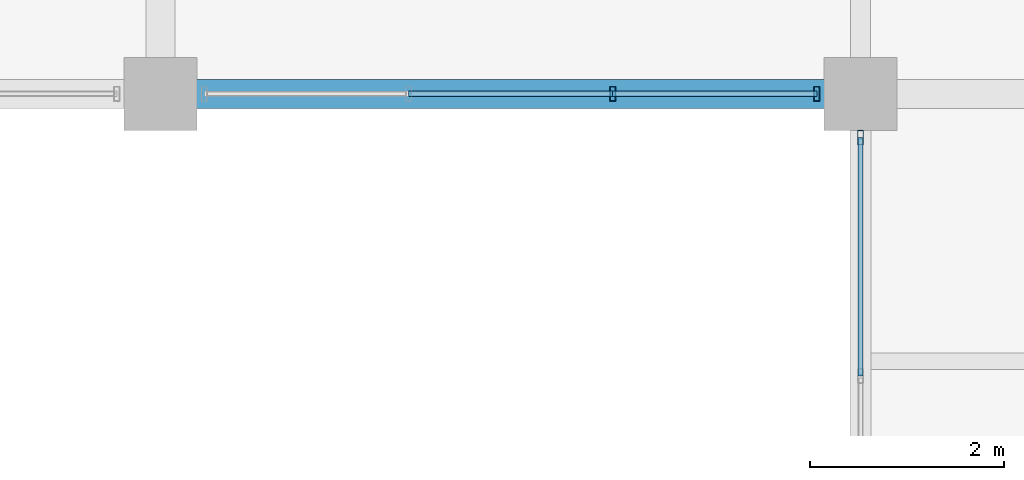
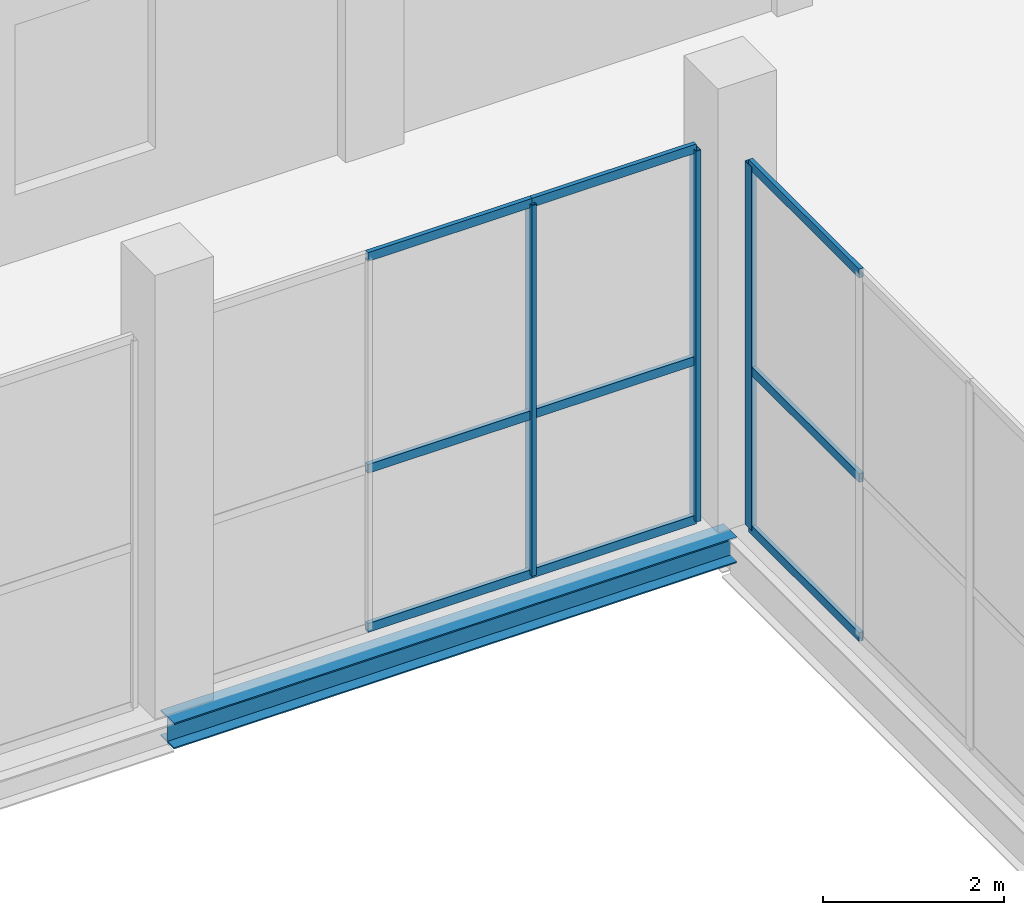
# One storey, part 113 of 144: 12 members, 1 beam, 2 elements without a shape of their own.
"""IFC4 building model written with IfcOpenShell, lengths in metres."""

from ifc_helpers import new_model, si_unit, direction, frame, origin, origin_2d, place, context, subcontext, project, spatial, hollow_rectangle, i_section, extrude, material, layer, layer_set, material_profile, profile_set, type_object, element, aggregate, save


model = new_model("IFC4")

# Units and contexts
model_context = context("Model", 3, precision=1e-05, world=origin(), true_north=direction((0.0, 1.0)))
body_context = subcontext(model_context, "Body", "Model", "MODEL_VIEW")
ifc_project = project(units=[si_unit("LENGTHUNIT", "METRE"), si_unit("AREAUNIT", "SQUARE_METRE"), si_unit("VOLUMEUNIT", "CUBIC_METRE"), si_unit("PLANEANGLEUNIT", "RADIAN"), si_unit("MASSUNIT", "GRAM", prefix="KILO")], contexts=[model_context])

# Site, building, storey
site_placement = place(None, origin())
site = spatial("IfcSite", under=ifc_project, at=site_placement, CompositionType="ELEMENT")
building_placement = place(site_placement, origin())
building = spatial("IfcBuilding", under=site, at=building_placement, Name="Sundgate Opera House", CompositionType="ELEMENT")
storey_placement = place(building_placement, origin())
storey = spatial("IfcBuildingStorey", under=building, at=storey_placement, Name="L00", CompositionType="ELEMENT", Elevation=0.0)

# Beam
ifc_material_1 = material(Name="Steel S355J2", Category="steel")
ifc_material_profile_1 = material_profile(ifc_material_1, i_section(OverallWidth=0.300048828125, OverallDepth=0.35009765625, WebThickness=0.010009765625, FlangeThickness=0.017578125, at=origin_2d()), Name="HEA 360")
ifc_profile_set_1 = profile_set([ifc_material_profile_1], Name="Steel S355J2")
beam_type = type_object("IfcBeamType", Name="BM-GR-HEA360", PredefinedType="BEAM", material=ifc_profile_set_1)
beam_placement = place(storey_placement, frame((145.800048828125, 111.75, -0.4951171875), z_axis=(1.0, 0.0, 0.0), x_axis=(0.0, 1.0, 0.0)))
element("IfcBeam", 1, at=beam_placement, inside=storey, type_object=beam_type, Name="L00 Primary E-W Girder B0576", PredefinedType="BEAM", context=body_context, shape_type="SweptSolid", body=[
    extrude(i_section(OverallWidth=0.300048828125, OverallDepth=0.35009765625, WebThickness=0.010009765625, FlangeThickness=0.017578125, at=origin_2d()), origin(), (0.0, 0.0, 1.0), 7.199951171875),
])

# Curtain wall, members
ifc_material_2 = material(Name="Anodized aluminium and low-iron glass", Category="aluminium")
ifc_layer = layer(ifc_material_2, 0.159912109375)
ifc_layer_set = layer_set([ifc_layer], Name="Anodized aluminium and low-iron glass")
curtain_wall_type = type_object("IfcCurtainWallType", Name="CW-STUDIO-DARK", PredefinedType="NOTDEFINED", material=ifc_layer_set)
curtain_wall_1_placement = place(storey_placement, origin())
curtain_wall_1 = element("IfcCurtainWall", 2, at=curtain_wall_1_placement, inside=storey, type_object=curtain_wall_type, Name="L00 Curtain Wall CW087", PredefinedType="NOTDEFINED")
ifc_material_3 = material(Name="Anodized aluminium EN AW-6063", Category="aluminium")
ifc_material_profile_2 = material_profile(ifc_material_3, hollow_rectangle(XDim=0.06005859375, YDim=0.14990234375, WallThickness=0.00390625, at=origin_2d()), Name="CWM 150x60x4")
ifc_profile_set_2 = profile_set([ifc_material_profile_2], Name="Anodized aluminium EN AW-6063")
member_type_1 = type_object("IfcMemberType", Name="CWM-ALU-150x60", PredefinedType="MULLION", material=ifc_profile_set_2)
member_1_placement = place(storey_placement, frame((152.550048828125, 111.75, 0.0), z_axis=(0.0, 0.0, 1.0), x_axis=(1.0, 0.0, 0.0)))
member_1 = element("IfcMember", 3, at=member_1_placement, type_object=member_type_1, Name="CW087 Mullion 1", PredefinedType="MULLION", context=body_context, shape_type="SweptSolid", body=[
    extrude(hollow_rectangle(XDim=0.06005859375, YDim=0.14990234375, WallThickness=0.00390625, at=origin_2d()), origin(), (0.0, 0.0, 1.0), 5.014892578125),
])
member_2_placement = place(storey_placement, frame((150.449951171875, 111.75, 0.0), z_axis=(0.0, 0.0, 1.0), x_axis=(1.0, 0.0, 0.0)))
member_2 = element("IfcMember", 4, at=member_2_placement, type_object=member_type_1, Name="CW087 Mullion 2", PredefinedType="MULLION", context=body_context, shape_type="SweptSolid", body=[
    extrude(hollow_rectangle(XDim=0.06005859375, YDim=0.14990234375, WallThickness=0.00390625, at=origin_2d()), origin(), (0.0, 0.0, 1.0), 5.014892578125),
])

# Curtain wall, member
curtain_wall_2_placement = place(storey_placement, origin())
curtain_wall_2 = element("IfcCurtainWall", 5, at=curtain_wall_2_placement, inside=storey, type_object=curtain_wall_type, Name="L00 Curtain Wall CW093", PredefinedType="NOTDEFINED")
member_3_placement = place(storey_placement, frame((153.0, 111.300048828125, 0.0), z_axis=(0.0, 0.0, 1.0), x_axis=(1.0, 0.0, 0.0)))
member_3 = element("IfcMember", 6, at=member_3_placement, type_object=member_type_1, Name="CW093 Mullion 1", PredefinedType="MULLION", context=body_context, shape_type="SweptSolid", body=[
    extrude(hollow_rectangle(XDim=0.06005859375, YDim=0.14990234375, WallThickness=0.00390625, at=origin_2d()), origin(), (0.0, 0.0, 1.0), 4.9150390625),
])

# Member
ifc_material_4 = material(Name="Anodized aluminium EN AW-6063", Category="aluminium")
ifc_material_profile_3 = material_profile(ifc_material_4, hollow_rectangle(XDim=0.054931640625, YDim=0.1201171875, WallThickness=0.00390625, at=origin_2d()), Name="CWT 120x55x4")
ifc_profile_set_3 = profile_set([ifc_material_profile_3], Name="Anodized aluminium EN AW-6063")
member_type_2 = type_object("IfcMemberType", Name="CWT-ALU-120x55", PredefinedType="USERDEFINED", material=ifc_profile_set_3)
member_4_placement = place(storey_placement, frame((152.550048828125, 111.75, 0.0), z_axis=(-1.0, 0.0, 0.0), x_axis=(0.0, -1.0, 0.0)))
member_4 = element("IfcMember", 7, at=member_4_placement, type_object=member_type_2, Name="CW087 Transom 1", ObjectType="TRANSOM", PredefinedType="USERDEFINED", context=body_context, shape_type="SweptSolid", body=[
    extrude(hollow_rectangle(XDim=0.054931640625, YDim=0.1201171875, WallThickness=0.00390625, at=origin_2d()), origin(), (0.0, 0.0, 1.0), 2.10009765625),
])

member_5_placement = place(storey_placement, frame((152.550048828125, 111.75, 2.14990234375), z_axis=(-1.0, 0.0, 0.0), x_axis=(0.0, -1.0, 0.0)))
member_5 = element("IfcMember", 8, at=member_5_placement, type_object=member_type_2, Name="CW087 Transom 2", ObjectType="TRANSOM", PredefinedType="USERDEFINED", context=body_context, shape_type="SweptSolid", body=[
    extrude(hollow_rectangle(XDim=0.054931640625, YDim=0.1201171875, WallThickness=0.00390625, at=origin_2d()), origin(), (0.0, 0.0, 1.0), 2.10009765625),
])

member_6_placement = place(storey_placement, frame((152.550048828125, 111.75, 5.014892578125), z_axis=(-1.0, 0.0, 0.0), x_axis=(0.0, -1.0, 0.0)))
member_6 = element("IfcMember", 9, at=member_6_placement, type_object=member_type_2, Name="CW087 Transom 3", ObjectType="TRANSOM", PredefinedType="USERDEFINED", context=body_context, shape_type="SweptSolid", body=[
    extrude(hollow_rectangle(XDim=0.054931640625, YDim=0.1201171875, WallThickness=0.00390625, at=origin_2d()), origin(), (0.0, 0.0, 1.0), 2.10009765625),
])

member_7_placement = place(storey_placement, frame((150.449951171875, 111.75, 0.0), z_axis=(-1.0, 0.0, 0.0), x_axis=(0.0, -1.0, 0.0)))
member_7 = element("IfcMember", 10, at=member_7_placement, type_object=member_type_2, Name="CW087 Transom 4", ObjectType="TRANSOM", PredefinedType="USERDEFINED", context=body_context, shape_type="SweptSolid", body=[
    extrude(hollow_rectangle(XDim=0.054931640625, YDim=0.1201171875, WallThickness=0.00390625, at=origin_2d()), origin(), (0.0, 0.0, 1.0), 2.099853515625),
])

member_8_placement = place(storey_placement, frame((150.449951171875, 111.75, 2.14990234375), z_axis=(-1.0, 0.0, 0.0), x_axis=(0.0, -1.0, 0.0)))
member_8 = element("IfcMember", 11, at=member_8_placement, type_object=member_type_2, Name="CW087 Transom 5", ObjectType="TRANSOM", PredefinedType="USERDEFINED", context=body_context, shape_type="SweptSolid", body=[
    extrude(hollow_rectangle(XDim=0.054931640625, YDim=0.1201171875, WallThickness=0.00390625, at=origin_2d()), origin(), (0.0, 0.0, 1.0), 2.099853515625),
])

member_9_placement = place(storey_placement, frame((150.449951171875, 111.75, 5.014892578125), z_axis=(-1.0, 0.0, 0.0), x_axis=(0.0, -1.0, 0.0)))
member_9 = element("IfcMember", 12, at=member_9_placement, type_object=member_type_2, Name="CW087 Transom 6", ObjectType="TRANSOM", PredefinedType="USERDEFINED", context=body_context, shape_type="SweptSolid", body=[
    extrude(hollow_rectangle(XDim=0.054931640625, YDim=0.1201171875, WallThickness=0.00390625, at=origin_2d()), origin(), (0.0, 0.0, 1.0), 2.099853515625),
])

aggregate(curtain_wall_1, [member_1, member_2, member_4, member_5, member_6, member_7, member_8, member_9])

member_10_placement = place(storey_placement, frame((153.0, 111.300048828125, 0.0), z_axis=(0.0, -1.0, 0.0), x_axis=(1.0, 0.0, 0.0)))
member_10 = element("IfcMember", 13, at=member_10_placement, type_object=member_type_2, Name="CW093 Transom 1", ObjectType="TRANSOM", PredefinedType="USERDEFINED", context=body_context, shape_type="SweptSolid", body=[
    extrude(hollow_rectangle(XDim=0.054931640625, YDim=0.1201171875, WallThickness=0.00390625, at=origin_2d()), origin(), (0.0, 0.0, 1.0), 2.449951171875),
])

member_11_placement = place(storey_placement, frame((153.0, 111.300048828125, 2.14990234375), z_axis=(0.0, -1.0, 0.0), x_axis=(1.0, 0.0, 0.0)))
member_11 = element("IfcMember", 14, at=member_11_placement, type_object=member_type_2, Name="CW093 Transom 2", ObjectType="TRANSOM", PredefinedType="USERDEFINED", context=body_context, shape_type="SweptSolid", body=[
    extrude(hollow_rectangle(XDim=0.054931640625, YDim=0.1201171875, WallThickness=0.00390625, at=origin_2d()), origin(), (0.0, 0.0, 1.0), 2.449951171875),
])

member_12_placement = place(storey_placement, frame((153.0, 111.300048828125, 4.9150390625), z_axis=(0.0, -1.0, 0.0), x_axis=(1.0, 0.0, 0.0)))
member_12 = element("IfcMember", 15, at=member_12_placement, type_object=member_type_2, Name="CW093 Transom 3", ObjectType="TRANSOM", PredefinedType="USERDEFINED", context=body_context, shape_type="SweptSolid", body=[
    extrude(hollow_rectangle(XDim=0.054931640625, YDim=0.1201171875, WallThickness=0.00390625, at=origin_2d()), origin(), (0.0, 0.0, 1.0), 2.449951171875),
])

aggregate(curtain_wall_2, [member_3, member_10, member_11, member_12])

save(model, "model.ifc")
